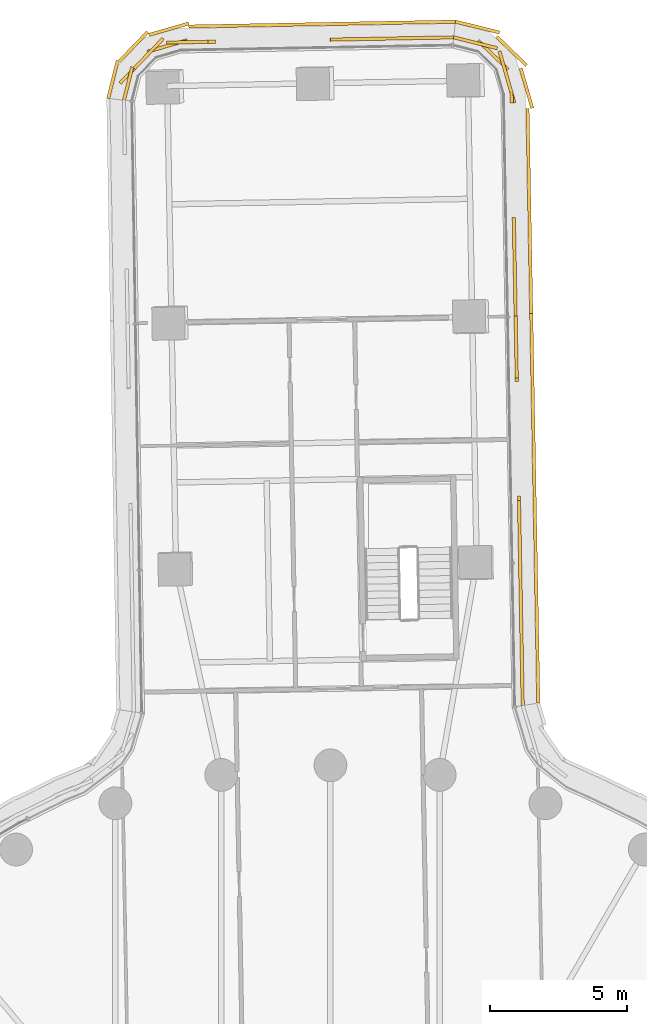
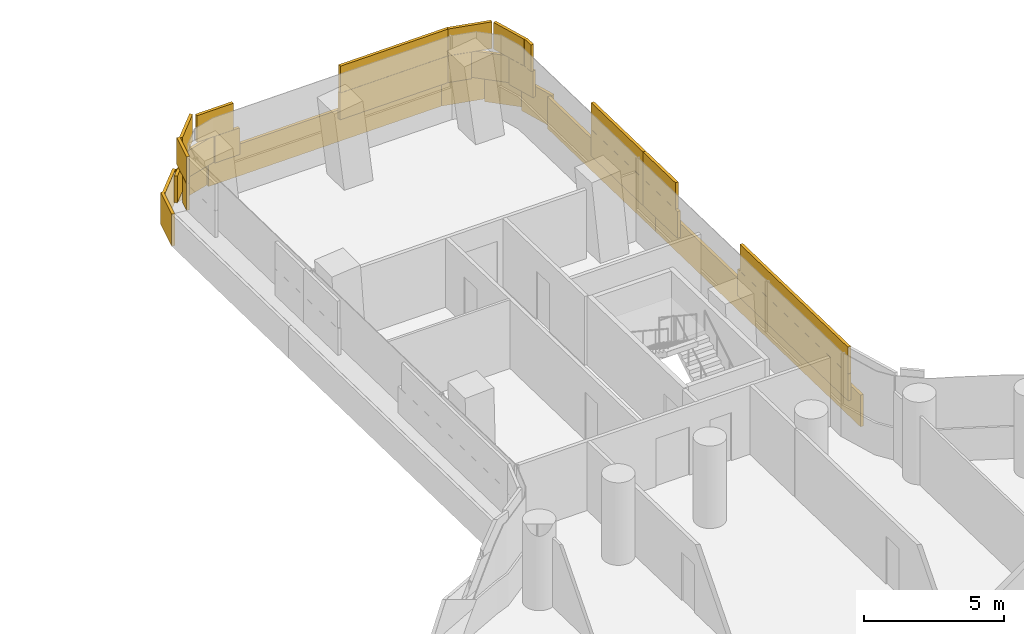
# One storey, part 31 of 31: 3 coverings.
"""IFC4 building model written with IfcOpenShell, lengths in metres."""

from ifc_helpers import new_model, si_unit, direction, frame, origin, origin_2d, place, context, subcontext, project, spatial, rectangle, extrude, material, layer, layer_set, type_object, element, save


model = new_model("IFC4")

# Units and contexts
model_context = context("Model", 3, precision=1e-05, world=origin(), true_north=direction((0.0, 1.0)))
body_context = subcontext(model_context, "Body", "Model", "MODEL_VIEW")
ifc_project = project(units=[si_unit("LENGTHUNIT", "METRE"), si_unit("AREAUNIT", "SQUARE_METRE"), si_unit("VOLUMEUNIT", "CUBIC_METRE"), si_unit("PLANEANGLEUNIT", "RADIAN"), si_unit("MASSUNIT", "GRAM", prefix="KILO")], contexts=[model_context])

# Site, building, storey
site_placement = place(None, origin())
site = spatial("IfcSite", under=ifc_project, at=site_placement, CompositionType="ELEMENT")
building_placement = place(site_placement, origin())
building = spatial("IfcBuilding", under=site, at=building_placement, Name="Tamarind Cross Interchange Tower", CompositionType="ELEMENT")
storey_placement = place(building_placement, frame((0.0, 0.0, 37.75)))
storey = spatial("IfcBuildingStorey", under=building, at=storey_placement, Name="L07", CompositionType="ELEMENT", Elevation=37.75)

# Coverings
ifc_material = material(Name="Terracotta", Category="masonry")
ifc_layer = layer(ifc_material, 0.1201171875)
ifc_layer_set = layer_set([ifc_layer], Name="Terracotta")
covering_type = type_object("IfcCoveringType", Name="Terracotta baguette screen unit", PredefinedType="MOLDING", material=ifc_layer_set)
covering_1_placement = place(storey_placement, origin())
element("IfcCovering", 1, at=covering_1_placement, inside=storey, type_object=covering_type, Name="SCR-L07-00-00", PredefinedType="MOLDING", context=body_context, shape_type="SweptSolid", body=[
    extrude(rectangle(XDim=0.760009765625, YDim=0.1201171875, at=origin_2d()), frame((4.1337890625, 49.622802734375, 1.404052734375), z_axis=(0.0, 0.0, 1.0), x_axis=(-0.999833743347, -0.018234189439, 0.0)), (0.0, 0.0, 1.0), 1.1669921875),
    extrude(rectangle(XDim=1.52001953125, YDim=0.1201171875, at=origin_2d()), frame((3.009033203125, 49.602294921875, 1.404052734375), z_axis=(0.0, 0.0, 1.0), x_axis=(-0.999833743347, -0.018234189439, 0.0)), (0.0, 0.0, 1.0), 1.1669921875),
    extrude(rectangle(XDim=1.52001953125, YDim=0.1201171875, at=origin_2d()), frame((1.50927734375, 49.574951171875, 1.404052734375), z_axis=(0.0, 0.0, 1.0), x_axis=(-0.999833743347, -0.018234189439, 0.0)), (0.0, 0.0, 1.0), 1.1669921875),
    extrude(rectangle(XDim=0.784912109375, YDim=0.1201171875, at=origin_2d()), frame((0.3720703125, 49.55419921875, 1.404052734375), z_axis=(0.0, 0.0, 1.0), x_axis=(-0.999833743347, -0.018234189439, 0.0)), (0.0, 0.0, 1.0), 1.1669921875),
    extrude(rectangle(XDim=1.03515625, YDim=0.1201171875, at=origin_2d()), frame((-4.72705078125, 49.461181640625, 1.404052734375), z_axis=(0.0, 0.0, 1.0), x_axis=(-0.999833743347, -0.018234189439, 0.0)), (0.0, 0.0, 1.0), 1.1669921875),
    extrude(rectangle(XDim=1.52001953125, YDim=0.1201171875, at=origin_2d()), frame((-5.970947265625, 49.315185546875, 1.404052734375), z_axis=(0.0, 0.0, 1.0), x_axis=(-0.961045879195, -0.276388889215, 0.0)), (0.0, 0.0, 1.0), 1.1669921875),
    extrude(rectangle(XDim=1.52001953125, YDim=0.1201171875, at=origin_2d()), frame((-7.1708984375, 48.499267578125, 1.404052734375), z_axis=(0.0, 0.0, 1.0), x_axis=(-0.694095700978, -0.719882738982, 0.0)), (0.0, 0.0, 1.0), 1.1669921875),
    extrude(rectangle(XDim=0.509521484375, YDim=0.1201171875, at=origin_2d()), frame((-7.492919921875, 47.57373046875, 1.404052734375), z_axis=(0.0, 0.0, 1.0), x_axis=(-0.241163140214, -0.970484590193, 0.0)), (0.0, 0.0, 1.0), 1.1669921875),
    extrude(rectangle(XDim=1.510009765625, YDim=0.1201171875, at=origin_2d()), frame((3.759033203125, 49.615966796875, 2.5791015625), z_axis=(0.0, 0.0, 1.0), x_axis=(-0.999833743347, -0.018234189439, 0.0)), (0.0, 0.0, 1.0), 1.1669921875),
    extrude(rectangle(XDim=1.52001953125, YDim=0.1201171875, at=origin_2d()), frame((2.25927734375, 49.588623046875, 2.5791015625), z_axis=(0.0, 0.0, 1.0), x_axis=(-0.999833743347, -0.018234189439, 0.0)), (0.0, 0.0, 1.0), 1.1669921875),
    extrude(rectangle(XDim=1.52001953125, YDim=0.1201171875, at=origin_2d()), frame((0.759521484375, 49.561279296875, 2.5791015625), z_axis=(0.0, 0.0, 1.0), x_axis=(-0.999833743347, -0.018234189439, 0.0)), (0.0, 0.0, 1.0), 1.1669921875),
    extrude(rectangle(XDim=1.52001953125, YDim=0.1201171875, at=origin_2d()), frame((-5.239501953125, 49.451904296875, 2.5791015625), z_axis=(0.0, 0.0, 1.0), x_axis=(-0.999833743347, -0.018234189439, 0.0)), (0.0, 0.0, 1.0), 1.1669921875),
    extrude(rectangle(XDim=1.52001953125, YDim=0.1201171875, at=origin_2d()), frame((-6.650390625, 49.0390625, 2.5791015625), z_axis=(0.0, 0.0, 1.0), x_axis=(-0.694095700978, -0.719882738982, 0.0)), (0.0, 0.0, 1.0), 1.1669921875),
    extrude(rectangle(XDim=1.259521484375, YDim=0.1201171875, at=origin_2d()), frame((-7.40234375, 47.937744140625, 2.5791015625), z_axis=(0.0, 0.0, 1.0), x_axis=(-0.241163140214, -0.970484590193, 0.0)), (0.0, 0.0, 1.0), 1.1669921875),
    extrude(rectangle(XDim=0.760009765625, YDim=0.1201171875, at=origin_2d()), frame((4.19384765625, 50.197998046875, 0.00390625), z_axis=(0.0, 0.0, 1.0), x_axis=(-0.999833743347, -0.018234189439, 0.0)), (0.0, 0.0, 1.0), 1.39208984375),
    extrude(rectangle(XDim=1.52001953125, YDim=0.1201171875, at=origin_2d()), frame((3.07421875, 50.177490234375, 0.00390625), z_axis=(0.0, 0.0, 1.0), x_axis=(-0.999833743347, -0.018234189439, 0.0)), (0.0, 0.0, 1.0), 1.39208984375),
    extrude(rectangle(XDim=1.52001953125, YDim=0.1201171875, at=origin_2d()), frame((1.574462890625, 50.150146484375, 0.00390625), z_axis=(0.0, 0.0, 1.0), x_axis=(-0.999833743347, -0.018234189439, 0.0)), (0.0, 0.0, 1.0), 1.39208984375),
    extrude(rectangle(XDim=1.52001953125, YDim=0.1201171875, at=origin_2d()), frame((0.07470703125, 50.122802734375, 0.00390625), z_axis=(0.0, 0.0, 1.0), x_axis=(-0.999833743347, -0.018234189439, 0.0)), (0.0, 0.0, 1.0), 1.39208984375),
    extrude(rectangle(XDim=1.52001953125, YDim=0.1201171875, at=origin_2d()), frame((-1.425048828125, 50.095458984375, 0.00390625), z_axis=(0.0, 0.0, 1.0), x_axis=(-0.999833743347, -0.018234189439, 0.0)), (0.0, 0.0, 1.0), 1.39208984375),
    extrude(rectangle(XDim=1.52001953125, YDim=0.1201171875, at=origin_2d()), frame((-2.9248046875, 50.068115234375, 0.00390625), z_axis=(0.0, 0.0, 1.0), x_axis=(-0.999833743347, -0.018234189439, 0.0)), (0.0, 0.0, 1.0), 1.39208984375),
    extrude(rectangle(XDim=1.52001953125, YDim=0.1201171875, at=origin_2d()), frame((-4.424560546875, 50.040771484375, 0.00390625), z_axis=(0.0, 0.0, 1.0), x_axis=(-0.999833743347, -0.018234189439, 0.0)), (0.0, 0.0, 1.0), 1.39208984375),
    extrude(rectangle(XDim=1.52001953125, YDim=0.1201171875, at=origin_2d()), frame((-5.911865234375, 49.929443359375, 0.00390625), z_axis=(0.0, 0.0, 1.0), x_axis=(-0.961045879195, -0.276388889215, 0.0)), (0.0, 0.0, 1.0), 1.39208984375),
    extrude(rectangle(XDim=1.52001953125, YDim=0.1201171875, at=origin_2d()), frame((-7.21337890625, 49.2822265625, 0.00390625), z_axis=(0.0, 0.0, 1.0), x_axis=(-0.694095700978, -0.719882738982, 0.0)), (0.0, 0.0, 1.0), 1.39208984375),
    extrude(rectangle(XDim=1.426513671875, YDim=0.1201171875, at=origin_2d()), frame((-7.956298828125, 48.089111328125, 0.00390625), z_axis=(0.0, 0.0, 1.0), x_axis=(-0.241163140214, -0.970484590193, 0.0)), (0.0, 0.0, 1.0), 1.39208984375),
])
covering_2_placement = place(storey_placement, origin())
element("IfcCovering", 2, at=covering_2_placement, inside=storey, type_object=covering_type, Name="SCR-L07-15-00", PredefinedType="MOLDING", context=body_context, shape_type="SweptSolid", body=[
    extrude(rectangle(XDim=0.760009765625, YDim=0.1201171875, at=origin_2d()), frame((7.026123046875, 25.561767578125, 1.404052734375), z_axis=(0.0, 0.0, 1.0), x_axis=(-0.018234189439, 0.999833743347, 0.0)), (0.0, 0.0, 1.0), 1.1669921875),
    extrude(rectangle(XDim=1.52001953125, YDim=0.1201171875, at=origin_2d()), frame((7.005615234375, 26.6865234375, 1.404052734375), z_axis=(0.0, 0.0, 1.0), x_axis=(-0.018234189439, 0.999833743347, 0.0)), (0.0, 0.0, 1.0), 1.1669921875),
    extrude(rectangle(XDim=1.52001953125, YDim=0.1201171875, at=origin_2d()), frame((6.978271484375, 28.186279296875, 1.404052734375), z_axis=(0.0, 0.0, 1.0), x_axis=(-0.018234189439, 0.999833743347, 0.0)), (0.0, 0.0, 1.0), 1.1669921875),
    extrude(rectangle(XDim=1.52001953125, YDim=0.1201171875, at=origin_2d()), frame((6.950927734375, 29.68603515625, 1.404052734375), z_axis=(0.0, 0.0, 1.0), x_axis=(-0.018234189439, 0.999833743347, 0.0)), (0.0, 0.0, 1.0), 1.1669921875),
    extrude(rectangle(XDim=1.52001953125, YDim=0.1201171875, at=origin_2d()), frame((6.923583984375, 31.185791015625, 1.404052734375), z_axis=(0.0, 0.0, 1.0), x_axis=(-0.018234189439, 0.999833743347, 0.0)), (0.0, 0.0, 1.0), 1.1669921875),
    extrude(rectangle(XDim=0.9140625, YDim=0.1201171875, at=origin_2d()), frame((6.90185546875, 32.3876953125, 1.404052734375), z_axis=(0.0, 0.0, 1.0), x_axis=(-0.018234189439, 0.999833743347, 0.0)), (0.0, 0.0, 1.0), 1.1669921875),
    extrude(rectangle(XDim=0.906005859375, YDim=0.1201171875, at=origin_2d()), frame((6.808837890625, 37.48681640625, 1.404052734375), z_axis=(0.0, 0.0, 1.0), x_axis=(-0.018234189439, 0.999833743347, 0.0)), (0.0, 0.0, 1.0), 1.1669921875),
    extrude(rectangle(XDim=1.52001953125, YDim=0.1201171875, at=origin_2d()), frame((6.786865234375, 38.6845703125, 1.404052734375), z_axis=(0.0, 0.0, 1.0), x_axis=(-0.018234189439, 0.999833743347, 0.0)), (0.0, 0.0, 1.0), 1.1669921875),
    extrude(rectangle(XDim=1.510009765625, YDim=0.1201171875, at=origin_2d()), frame((7.019287109375, 25.936767578125, 2.5791015625), z_axis=(0.0, 0.0, 1.0), x_axis=(-0.018234189439, 0.999833743347, 0.0)), (0.0, 0.0, 1.0), 1.1669921875),
    extrude(rectangle(XDim=1.52001953125, YDim=0.1201171875, at=origin_2d()), frame((6.991943359375, 27.4365234375, 2.5791015625), z_axis=(0.0, 0.0, 1.0), x_axis=(-0.018234189439, 0.999833743347, 0.0)), (0.0, 0.0, 1.0), 1.1669921875),
    extrude(rectangle(XDim=1.52001953125, YDim=0.1201171875, at=origin_2d()), frame((6.964599609375, 28.936279296875, 2.5791015625), z_axis=(0.0, 0.0, 1.0), x_axis=(-0.018234189439, 0.999833743347, 0.0)), (0.0, 0.0, 1.0), 1.1669921875),
    extrude(rectangle(XDim=1.52001953125, YDim=0.1201171875, at=origin_2d()), frame((6.937255859375, 30.43603515625, 2.5791015625), z_axis=(0.0, 0.0, 1.0), x_axis=(-0.018234189439, 0.999833743347, 0.0)), (0.0, 0.0, 1.0), 1.1669921875),
    extrude(rectangle(XDim=1.52001953125, YDim=0.1201171875, at=origin_2d()), frame((6.909912109375, 31.935791015625, 2.5791015625), z_axis=(0.0, 0.0, 1.0), x_axis=(-0.018234189439, 0.999833743347, 0.0)), (0.0, 0.0, 1.0), 1.1669921875),
    extrude(rectangle(XDim=1.52001953125, YDim=0.1201171875, at=origin_2d()), frame((6.800537109375, 37.9345703125, 2.5791015625), z_axis=(0.0, 0.0, 1.0), x_axis=(-0.018234189439, 0.999833743347, 0.0)), (0.0, 0.0, 1.0), 1.1669921875),
    extrude(rectangle(XDim=0.763916015625, YDim=0.1201171875, at=origin_2d()), frame((6.780029296875, 39.0615234375, 2.5791015625), z_axis=(0.0, 0.0, 1.0), x_axis=(-0.018234189439, 0.999833743347, 0.0)), (0.0, 0.0, 1.0), 1.1669921875),
    extrude(rectangle(XDim=0.760009765625, YDim=0.1201171875, at=origin_2d()), frame((7.5986328125, 25.654541015625, 0.00390625), z_axis=(0.0, 0.0, 1.0), x_axis=(-0.018234189439, 0.999833743347, 0.0)), (0.0, 0.0, 1.0), 1.39208984375),
    extrude(rectangle(XDim=1.52001953125, YDim=0.1201171875, at=origin_2d()), frame((7.578125, 26.7744140625, 0.00390625), z_axis=(0.0, 0.0, 1.0), x_axis=(-0.018234189439, 0.999833743347, 0.0)), (0.0, 0.0, 1.0), 1.39208984375),
    extrude(rectangle(XDim=1.52001953125, YDim=0.1201171875, at=origin_2d()), frame((7.55078125, 28.274169921875, 0.00390625), z_axis=(0.0, 0.0, 1.0), x_axis=(-0.018234189439, 0.999833743347, 0.0)), (0.0, 0.0, 1.0), 1.39208984375),
    extrude(rectangle(XDim=1.52001953125, YDim=0.1201171875, at=origin_2d()), frame((7.5234375, 29.77392578125, 0.00390625), z_axis=(0.0, 0.0, 1.0), x_axis=(-0.018234189439, 0.999833743347, 0.0)), (0.0, 0.0, 1.0), 1.39208984375),
    extrude(rectangle(XDim=1.52001953125, YDim=0.1201171875, at=origin_2d()), frame((7.49609375, 31.273681640625, 0.00390625), z_axis=(0.0, 0.0, 1.0), x_axis=(-0.018234189439, 0.999833743347, 0.0)), (0.0, 0.0, 1.0), 1.39208984375),
    extrude(rectangle(XDim=1.52001953125, YDim=0.1201171875, at=origin_2d()), frame((7.46875, 32.7734375, 0.00390625), z_axis=(0.0, 0.0, 1.0), x_axis=(-0.018234189439, 0.999833743347, 0.0)), (0.0, 0.0, 1.0), 1.39208984375),
    extrude(rectangle(XDim=1.52001953125, YDim=0.1201171875, at=origin_2d()), frame((7.44140625, 34.273193359375, 0.00390625), z_axis=(0.0, 0.0, 1.0), x_axis=(-0.018234189439, 0.999833743347, 0.0)), (0.0, 0.0, 1.0), 1.39208984375),
    extrude(rectangle(XDim=1.52001953125, YDim=0.1201171875, at=origin_2d()), frame((7.4140625, 35.77294921875, 0.00390625), z_axis=(0.0, 0.0, 1.0), x_axis=(-0.018234189439, 0.999833743347, 0.0)), (0.0, 0.0, 1.0), 1.39208984375),
    extrude(rectangle(XDim=1.52001953125, YDim=0.1201171875, at=origin_2d()), frame((7.38671875, 37.272705078125, 0.00390625), z_axis=(0.0, 0.0, 1.0), x_axis=(-0.018234189439, 0.999833743347, 0.0)), (0.0, 0.0, 1.0), 1.39208984375),
    extrude(rectangle(XDim=1.52001953125, YDim=0.1201171875, at=origin_2d()), frame((7.359375, 38.7724609375, 0.00390625), z_axis=(0.0, 0.0, 1.0), x_axis=(-0.018234189439, 0.999833743347, 0.0)), (0.0, 0.0, 1.0), 1.39208984375),
])
covering_3_placement = place(storey_placement, origin())
element("IfcCovering", 3, at=covering_3_placement, inside=storey, type_object=covering_type, Name="SCR-L07-15-01", PredefinedType="MOLDING", context=body_context, shape_type="SweptSolid", body=[
    extrude(rectangle(XDim=1.506103515625, YDim=0.1201171875, at=origin_2d()), frame((6.759521484375, 40.186279296875, 1.404052734375), z_axis=(0.0, 0.0, 1.0), x_axis=(-0.018234189439, 0.999833743347, 0.0)), (0.0, 0.0, 1.0), 1.1669921875),
    extrude(rectangle(XDim=1.52001953125, YDim=0.1201171875, at=origin_2d()), frame((6.732177734375, 41.68408203125, 1.404052734375), z_axis=(0.0, 0.0, 1.0), x_axis=(-0.018234189439, 0.999833743347, 0.0)), (0.0, 0.0, 1.0), 1.1669921875),
    extrude(rectangle(XDim=0.603271484375, YDim=0.1201171875, at=origin_2d()), frame((6.713134765625, 42.73046875, 1.404052734375), z_axis=(0.0, 0.0, 1.0), x_axis=(-0.018234189439, 0.999833743347, 0.0)), (0.0, 0.0, 1.0), 1.1669921875),
    extrude(rectangle(XDim=1.216796875, YDim=0.1201171875, at=origin_2d()), frame((6.55810546875, 47.8203125, 1.404052734375), z_axis=(0.0, 0.0, 1.0), x_axis=(-0.276388889215, 0.961045879195, 0.0)), (0.0, 0.0, 1.0), 1.1669921875),
    extrude(rectangle(XDim=1.52001953125, YDim=0.1201171875, at=origin_2d()), frame((5.95263671875, 48.981689453125, 1.404052734375), z_axis=(0.0, 0.0, 1.0), x_axis=(-0.719882738982, 0.694095700978, 0.0)), (0.0, 0.0, 1.0), 1.1669921875),
    extrude(rectangle(XDim=0.892578125, YDim=0.1201171875, at=origin_2d()), frame((4.93701171875, 49.523193359375, 1.404052734375), z_axis=(0.0, 0.0, 1.0), x_axis=(-0.970484590193, 0.241163140214, 0.0)), (0.0, 0.0, 1.0), 1.1669921875),
    extrude(rectangle(XDim=0.756103515625, YDim=0.1201171875, at=origin_2d()), frame((6.766357421875, 39.811279296875, 2.5791015625), z_axis=(0.0, 0.0, 1.0), x_axis=(-0.018234189439, 0.999833743347, 0.0)), (0.0, 0.0, 1.0), 1.1669921875),
    extrude(rectangle(XDim=1.52001953125, YDim=0.1201171875, at=origin_2d()), frame((6.745849609375, 40.93408203125, 2.5791015625), z_axis=(0.0, 0.0, 1.0), x_axis=(-0.018234189439, 0.999833743347, 0.0)), (0.0, 0.0, 1.0), 1.1669921875),
    extrude(rectangle(XDim=1.353271484375, YDim=0.1201171875, at=origin_2d()), frame((6.719970703125, 42.355712890625, 2.5791015625), z_axis=(0.0, 0.0, 1.0), x_axis=(-0.018234189439, 0.999833743347, 0.0)), (0.0, 0.0, 1.0), 1.1669921875),
    extrude(rectangle(XDim=0.466796875, YDim=0.1201171875, at=origin_2d()), frame((6.626953125, 47.454833984375, 2.5791015625), z_axis=(0.0, 0.0, 1.0), x_axis=(-0.018234189439, 0.999833743347, 0.0)), (0.0, 0.0, 1.0), 1.1669921875),
    extrude(rectangle(XDim=1.52001953125, YDim=0.1201171875, at=origin_2d()), frame((6.391357421875, 48.400146484375, 2.5791015625), z_axis=(0.0, 0.0, 1.0), x_axis=(-0.276388889215, 0.961045879195, 0.0)), (0.0, 0.0, 1.0), 1.1669921875),
    extrude(rectangle(XDim=1.52001953125, YDim=0.1201171875, at=origin_2d()), frame((5.365478515625, 49.416748046875, 2.5791015625), z_axis=(0.0, 0.0, 1.0), x_axis=(-0.970484590193, 0.241163140214, 0.0)), (0.0, 0.0, 1.0), 1.1669921875),
    extrude(rectangle(XDim=0.142578125, YDim=0.1201171875, at=origin_2d()), frame((4.5732421875, 49.61376953125, 2.5791015625), z_axis=(0.0, 0.0, 1.0), x_axis=(-0.970484590193, 0.241163140214, 0.0)), (0.0, 0.0, 1.0), 1.1669921875),
    extrude(rectangle(XDim=1.50732421875, YDim=0.1201171875, at=origin_2d()), frame((7.33203125, 40.278564453125, 0.00390625), z_axis=(0.0, 0.0, 1.0), x_axis=(-0.018234189439, 0.999833743347, 0.0)), (0.0, 0.0, 1.0), 1.39208984375),
    extrude(rectangle(XDim=1.52001953125, YDim=0.1201171875, at=origin_2d()), frame((7.3046875, 41.77197265625, 0.00390625), z_axis=(0.0, 0.0, 1.0), x_axis=(-0.018234189439, 0.999833743347, 0.0)), (0.0, 0.0, 1.0), 1.39208984375),
    extrude(rectangle(XDim=1.52001953125, YDim=0.1201171875, at=origin_2d()), frame((7.27734375, 43.271728515625, 0.00390625), z_axis=(0.0, 0.0, 1.0), x_axis=(-0.018234189439, 0.999833743347, 0.0)), (0.0, 0.0, 1.0), 1.39208984375),
    extrude(rectangle(XDim=1.52001953125, YDim=0.1201171875, at=origin_2d()), frame((7.25, 44.771484375, 0.00390625), z_axis=(0.0, 0.0, 1.0), x_axis=(-0.018234189439, 0.999833743347, 0.0)), (0.0, 0.0, 1.0), 1.39208984375),
    extrude(rectangle(XDim=1.52001953125, YDim=0.1201171875, at=origin_2d()), frame((7.22265625, 46.271240234375, 0.00390625), z_axis=(0.0, 0.0, 1.0), x_axis=(-0.018234189439, 0.999833743347, 0.0)), (0.0, 0.0, 1.0), 1.39208984375),
    extrude(rectangle(XDim=1.52001953125, YDim=0.1201171875, at=origin_2d()), frame((7.170654296875, 47.767333984375, 0.00390625), z_axis=(0.0, 0.0, 1.0), x_axis=(-0.276388889215, 0.961045879195, 0.0)), (0.0, 0.0, 1.0), 1.39208984375),
    extrude(rectangle(XDim=1.52001953125, YDim=0.1201171875, at=origin_2d()), frame((6.62548828125, 49.130126953125, 0.00390625), z_axis=(0.0, 0.0, 1.0), x_axis=(-0.719882738982, 0.694095700978, 0.0)), (0.0, 0.0, 1.0), 1.39208984375),
    extrude(rectangle(XDim=1.52001953125, YDim=0.1201171875, at=origin_2d()), frame((5.444580078125, 49.988525390625, 0.00390625), z_axis=(0.0, 0.0, 1.0), x_axis=(-0.970484590193, 0.241163140214, 0.0)), (0.0, 0.0, 1.0), 1.39208984375),
    extrude(rectangle(XDim=0.1572265625, YDim=0.1201171875, at=origin_2d()), frame((4.650146484375, 50.18603515625, 0.00390625), z_axis=(0.0, 0.0, 1.0), x_axis=(-0.970484590193, 0.241163140214, 0.0)), (0.0, 0.0, 1.0), 1.39208984375),
])

save(model, "model.ifc")
